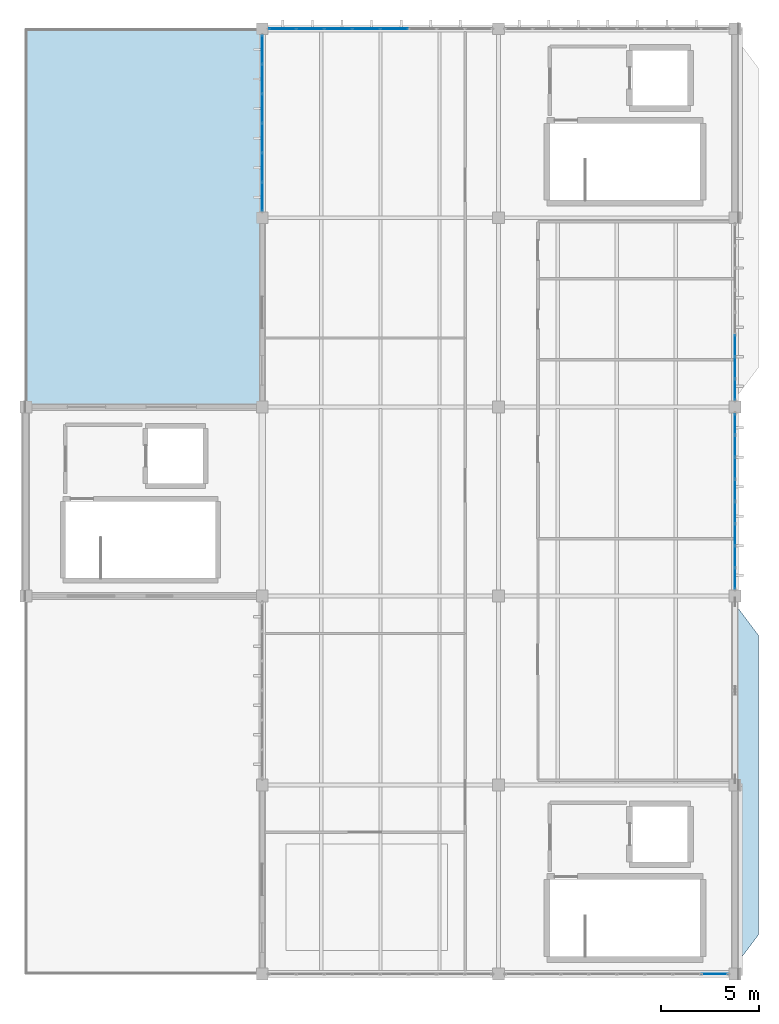
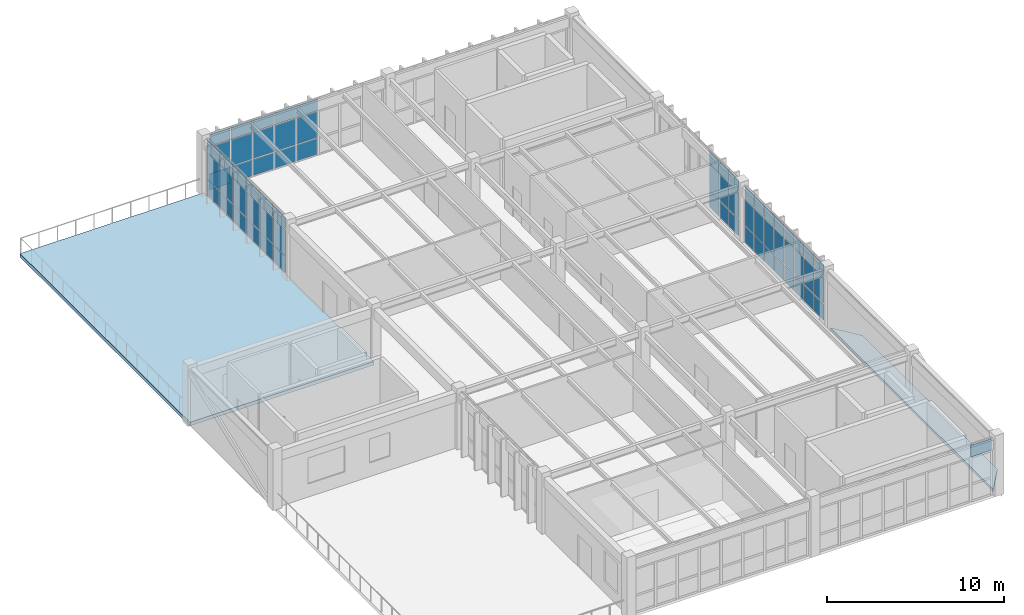
# One storey, part 21 of 28: 67 plates, 2 slabs, 5 elements without a shape of their own.
"""IFC4 building model written with IfcOpenShell, lengths in metres."""

from ifc_helpers import new_model, si_unit, direction, frame, origin, origin_2d, place, context, subcontext, project, spatial, polyline, rectangle, outline, extrude, material, layer, layer_set, type_object, element, aggregate, save


model = new_model("IFC4")

# Units and contexts
model_context = context("Model", 3, precision=1e-05, world=origin(), true_north=direction((0.0, 1.0)))
body_context = subcontext(model_context, "Body", "Model", "MODEL_VIEW")
ifc_project = project(units=[si_unit("LENGTHUNIT", "METRE"), si_unit("AREAUNIT", "SQUARE_METRE"), si_unit("VOLUMEUNIT", "CUBIC_METRE"), si_unit("PLANEANGLEUNIT", "RADIAN"), si_unit("MASSUNIT", "GRAM", prefix="KILO")], contexts=[model_context])

# Site, building, storey
site_placement = place(None, origin())
site = spatial("IfcSite", under=ifc_project, at=site_placement, CompositionType="ELEMENT")
building_placement = place(site_placement, origin())
building = spatial("IfcBuilding", under=site, at=building_placement, Name="Pandanus Reach Market Hall", CompositionType="ELEMENT")
storey_placement = place(building_placement, frame((0.0, 0.0, 18.60009765625)))
storey = spatial("IfcBuildingStorey", under=building, at=storey_placement, Name="L04", CompositionType="ELEMENT", Elevation=18.60009765625)

# Curtain wall, plates
ifc_material_1 = material(Name="Bronze anodised aluminium and low-E glass", Category="aluminium")
ifc_layer_1 = layer(ifc_material_1, 0.159912109375, Name="CW-35")
ifc_layer_set_1 = layer_set([ifc_layer_1], Name="Bronze anodised aluminium and low-E glass")
curtain_wall_type_1 = type_object("IfcCurtainWallType", Name="CW-35", PredefinedType="NOTDEFINED", material=ifc_layer_set_1)
curtain_wall_1_placement = place(storey_placement, origin())
curtain_wall_1 = element("IfcCurtainWall", 1, at=curtain_wall_1_placement, inside=storey, type_object=curtain_wall_type_1, Name="Glazed curtain wall CW-35 CW-0128", PredefinedType="NOTDEFINED")
ifc_material_2 = material(Name="Solar-control double glazing", Category="glass")
ifc_layer_2 = layer(ifc_material_2, 0.028076171875, Name="CW-P1")
ifc_layer_set_2 = layer_set([ifc_layer_2], Name="Solar-control double glazing")
plate_type = type_object("IfcPlateType", Name="CW-P1", PredefinedType="CURTAIN_PANEL", material=ifc_layer_set_2)
plate_1_placement = place(storey_placement, frame((157.02880859375, 76.800048828125, 0.06494140625), z_axis=(0.0, 0.0, 1.0), x_axis=(1.0, 0.0, 0.0)))
plate_1 = element("IfcPlate", 2, at=plate_1_placement, type_object=plate_type, Name="CW-35 panel 1.1", PredefinedType="CURTAIN_PANEL", context=body_context, shape_type="SweptSolid", body=[
    extrude(rectangle(XDim=1.327392578125, YDim=0.028076171875, at=origin_2d()), origin(), (0.0, 0.0, 1.0), 1.1025390625),
])
plate_2_placement = place(storey_placement, frame((157.02880859375, 76.800048828125, 1.232421875), z_axis=(0.0, 0.0, 1.0), x_axis=(1.0, 0.0, 0.0)))
plate_2 = element("IfcPlate", 3, at=plate_2_placement, type_object=plate_type, Name="CW-35 panel 1.2", PredefinedType="CURTAIN_PANEL", context=body_context, shape_type="SweptSolid", body=[
    extrude(rectangle(XDim=1.327392578125, YDim=0.028076171875, at=origin_2d()), origin(), (0.0, 0.0, 1.0), 1.784912109375),
])
plate_3_placement = place(storey_placement, frame((157.02880859375, 76.800048828125, 3.08251953125), z_axis=(0.0, 0.0, 1.0), x_axis=(1.0, 0.0, 0.0)))
plate_3 = element("IfcPlate", 4, at=plate_3_placement, type_object=plate_type, Name="CW-35 panel 1.3", PredefinedType="CURTAIN_PANEL", context=body_context, shape_type="SweptSolid", body=[
    extrude(rectangle(XDim=1.327392578125, YDim=0.028076171875, at=origin_2d()), origin(), (0.0, 0.0, 1.0), 0.802490234375),
])
plate_4_placement = place(storey_placement, frame((158.4375, 76.800048828125, 0.06494140625), z_axis=(0.0, 0.0, 1.0), x_axis=(1.0, 0.0, 0.0)))
plate_4 = element("IfcPlate", 5, at=plate_4_placement, type_object=plate_type, Name="CW-35 panel 2.1", PredefinedType="CURTAIN_PANEL", context=body_context, shape_type="SweptSolid", body=[
    extrude(rectangle(XDim=1.360107421875, YDim=0.028076171875, at=origin_2d()), origin(), (0.0, 0.0, 1.0), 1.1025390625),
])
plate_5_placement = place(storey_placement, frame((158.4375, 76.800048828125, 1.232421875), z_axis=(0.0, 0.0, 1.0), x_axis=(1.0, 0.0, 0.0)))
plate_5 = element("IfcPlate", 6, at=plate_5_placement, type_object=plate_type, Name="CW-35 panel 2.2", PredefinedType="CURTAIN_PANEL", context=body_context, shape_type="SweptSolid", body=[
    extrude(rectangle(XDim=1.360107421875, YDim=0.028076171875, at=origin_2d()), origin(), (0.0, 0.0, 1.0), 1.784912109375),
])
plate_6_placement = place(storey_placement, frame((158.4375, 76.800048828125, 3.08251953125), z_axis=(0.0, 0.0, 1.0), x_axis=(1.0, 0.0, 0.0)))
plate_6 = element("IfcPlate", 7, at=plate_6_placement, type_object=plate_type, Name="CW-35 panel 2.3", PredefinedType="CURTAIN_PANEL", context=body_context, shape_type="SweptSolid", body=[
    extrude(rectangle(XDim=1.360107421875, YDim=0.028076171875, at=origin_2d()), origin(), (0.0, 0.0, 1.0), 0.802490234375),
])
plate_7_placement = place(storey_placement, frame((159.862548828125, 76.800048828125, 0.06494140625), z_axis=(0.0, 0.0, 1.0), x_axis=(1.0, 0.0, 0.0)))
plate_7 = element("IfcPlate", 8, at=plate_7_placement, type_object=plate_type, Name="CW-35 panel 3.1", PredefinedType="CURTAIN_PANEL", context=body_context, shape_type="SweptSolid", body=[
    extrude(rectangle(XDim=1.360107421875, YDim=0.028076171875, at=origin_2d()), origin(), (0.0, 0.0, 1.0), 1.1025390625),
])
plate_8_placement = place(storey_placement, frame((159.862548828125, 76.800048828125, 1.232421875), z_axis=(0.0, 0.0, 1.0), x_axis=(1.0, 0.0, 0.0)))
plate_8 = element("IfcPlate", 9, at=plate_8_placement, type_object=plate_type, Name="CW-35 panel 3.2", PredefinedType="CURTAIN_PANEL", context=body_context, shape_type="SweptSolid", body=[
    extrude(rectangle(XDim=1.360107421875, YDim=0.028076171875, at=origin_2d()), origin(), (0.0, 0.0, 1.0), 1.784912109375),
])
plate_9_placement = place(storey_placement, frame((159.862548828125, 76.800048828125, 3.08251953125), z_axis=(0.0, 0.0, 1.0), x_axis=(1.0, 0.0, 0.0)))
plate_9 = element("IfcPlate", 10, at=plate_9_placement, type_object=plate_type, Name="CW-35 panel 3.3", PredefinedType="CURTAIN_PANEL", context=body_context, shape_type="SweptSolid", body=[
    extrude(rectangle(XDim=1.360107421875, YDim=0.028076171875, at=origin_2d()), origin(), (0.0, 0.0, 1.0), 0.802490234375),
])
plate_10_placement = place(storey_placement, frame((161.28759765625, 76.800048828125, 0.06494140625), z_axis=(0.0, 0.0, 1.0), x_axis=(1.0, 0.0, 0.0)))
plate_10 = element("IfcPlate", 11, at=plate_10_placement, type_object=plate_type, Name="CW-35 panel 4.1", PredefinedType="CURTAIN_PANEL", context=body_context, shape_type="SweptSolid", body=[
    extrude(rectangle(XDim=1.360107421875, YDim=0.028076171875, at=origin_2d()), origin(), (0.0, 0.0, 1.0), 1.1025390625),
])
plate_11_placement = place(storey_placement, frame((161.28759765625, 76.800048828125, 1.232421875), z_axis=(0.0, 0.0, 1.0), x_axis=(1.0, 0.0, 0.0)))
plate_11 = element("IfcPlate", 12, at=plate_11_placement, type_object=plate_type, Name="CW-35 panel 4.2", PredefinedType="CURTAIN_PANEL", context=body_context, shape_type="SweptSolid", body=[
    extrude(rectangle(XDim=1.360107421875, YDim=0.028076171875, at=origin_2d()), origin(), (0.0, 0.0, 1.0), 1.784912109375),
])
plate_12_placement = place(storey_placement, frame((161.28759765625, 76.800048828125, 3.08251953125), z_axis=(0.0, 0.0, 1.0), x_axis=(1.0, 0.0, 0.0)))
plate_12 = element("IfcPlate", 13, at=plate_12_placement, type_object=plate_type, Name="CW-35 panel 4.3", PredefinedType="CURTAIN_PANEL", context=body_context, shape_type="SweptSolid", body=[
    extrude(rectangle(XDim=1.360107421875, YDim=0.028076171875, at=origin_2d()), origin(), (0.0, 0.0, 1.0), 0.802490234375),
])
plate_13_placement = place(storey_placement, frame((162.71240234375, 76.800048828125, 0.06494140625), z_axis=(0.0, 0.0, 1.0), x_axis=(1.0, 0.0, 0.0)))
plate_13 = element("IfcPlate", 14, at=plate_13_placement, type_object=plate_type, Name="CW-35 panel 5.1", PredefinedType="CURTAIN_PANEL", context=body_context, shape_type="SweptSolid", body=[
    extrude(rectangle(XDim=1.360107421875, YDim=0.028076171875, at=origin_2d()), origin(), (0.0, 0.0, 1.0), 1.1025390625),
])
plate_14_placement = place(storey_placement, frame((162.71240234375, 76.800048828125, 1.232421875), z_axis=(0.0, 0.0, 1.0), x_axis=(1.0, 0.0, 0.0)))
plate_14 = element("IfcPlate", 15, at=plate_14_placement, type_object=plate_type, Name="CW-35 panel 5.2", PredefinedType="CURTAIN_PANEL", context=body_context, shape_type="SweptSolid", body=[
    extrude(rectangle(XDim=1.360107421875, YDim=0.028076171875, at=origin_2d()), origin(), (0.0, 0.0, 1.0), 1.784912109375),
])
plate_15_placement = place(storey_placement, frame((162.71240234375, 76.800048828125, 3.08251953125), z_axis=(0.0, 0.0, 1.0), x_axis=(1.0, 0.0, 0.0)))
plate_15 = element("IfcPlate", 16, at=plate_15_placement, type_object=plate_type, Name="CW-35 panel 5.3", PredefinedType="CURTAIN_PANEL", context=body_context, shape_type="SweptSolid", body=[
    extrude(rectangle(XDim=1.360107421875, YDim=0.028076171875, at=origin_2d()), origin(), (0.0, 0.0, 1.0), 0.802490234375),
])
aggregate(curtain_wall_1, [plate_1, plate_2, plate_3, plate_4, plate_5, plate_6, plate_7, plate_8, plate_9, plate_10, plate_11, plate_12, plate_13, plate_14, plate_15])

# Curtain wall, plate
curtain_wall_2_placement = place(storey_placement, origin())
curtain_wall_2 = element("IfcCurtainWall", 17, at=curtain_wall_2_placement, inside=storey, type_object=curtain_wall_type_1, Name="Glazed curtain wall CW-35 CW-0129", PredefinedType="NOTDEFINED")
plate_16_placement = place(storey_placement, frame((178.97119140625, 28.800048828125, 3.08251953125), z_axis=(0.0, 0.0, 1.0), x_axis=(1.0, 0.0, 0.0)))
plate_16 = element("IfcPlate", 18, at=plate_16_placement, type_object=plate_type, Name="CW-35 panel 8.3", PredefinedType="CURTAIN_PANEL", context=body_context, shape_type="SweptSolid", body=[
    extrude(rectangle(XDim=1.327392578125, YDim=0.028076171875, at=origin_2d()), origin(), (0.0, 0.0, 1.0), 0.802490234375),
])
aggregate(curtain_wall_2, [plate_16])

# Curtain wall, plates
ifc_layer_3 = layer(ifc_material_1, 0.159912109375, Name="CW-36")
ifc_layer_set_3 = layer_set([ifc_layer_3], Name="Bronze anodised aluminium and low-E glass")
curtain_wall_type_2 = type_object("IfcCurtainWallType", Name="CW-36", PredefinedType="NOTDEFINED", material=ifc_layer_set_3)
curtain_wall_3_placement = place(storey_placement, origin())
curtain_wall_3 = element("IfcCurtainWall", 19, at=curtain_wall_3_placement, inside=storey, type_object=curtain_wall_type_2, Name="Glazed curtain wall CW-36 CW-0131", PredefinedType="NOTDEFINED")
plate_17_placement = place(storey_placement, frame((180.0, 48.878662109375, 0.06494140625), z_axis=(0.0, 0.0, 1.0), x_axis=(0.0, 1.0, 0.0)))
plate_17 = element("IfcPlate", 20, at=plate_17_placement, type_object=plate_type, Name="CW-36 panel 1.1", PredefinedType="CURTAIN_PANEL", context=body_context, shape_type="SweptSolid", body=[
    extrude(rectangle(XDim=1.027587890625, YDim=0.028076171875, at=origin_2d()), origin(), (0.0, 0.0, 1.0), 1.1025390625),
])
plate_18_placement = place(storey_placement, frame((180.0, 48.878662109375, 1.232421875), z_axis=(0.0, 0.0, 1.0), x_axis=(0.0, 1.0, 0.0)))
plate_18 = element("IfcPlate", 21, at=plate_18_placement, type_object=plate_type, Name="CW-36 panel 1.2", PredefinedType="CURTAIN_PANEL", context=body_context, shape_type="SweptSolid", body=[
    extrude(rectangle(XDim=1.027587890625, YDim=0.028076171875, at=origin_2d()), origin(), (0.0, 0.0, 1.0), 1.784912109375),
])
plate_19_placement = place(storey_placement, frame((180.0, 48.878662109375, 3.08251953125), z_axis=(0.0, 0.0, 1.0), x_axis=(0.0, 1.0, 0.0)))
plate_19 = element("IfcPlate", 22, at=plate_19_placement, type_object=plate_type, Name="CW-36 panel 1.3", PredefinedType="CURTAIN_PANEL", context=body_context, shape_type="SweptSolid", body=[
    extrude(rectangle(XDim=1.027587890625, YDim=0.028076171875, at=origin_2d()), origin(), (0.0, 0.0, 1.0), 0.802490234375),
])
plate_20_placement = place(storey_placement, frame((180.0, 49.987548828125, 0.06494140625), z_axis=(0.0, 0.0, 1.0), x_axis=(0.0, 1.0, 0.0)))
plate_20 = element("IfcPlate", 23, at=plate_20_placement, type_object=plate_type, Name="CW-36 panel 2.1", PredefinedType="CURTAIN_PANEL", context=body_context, shape_type="SweptSolid", body=[
    extrude(rectangle(XDim=1.06005859375, YDim=0.028076171875, at=origin_2d()), origin(), (0.0, 0.0, 1.0), 1.1025390625),
])
plate_21_placement = place(storey_placement, frame((180.0, 49.987548828125, 1.232421875), z_axis=(0.0, 0.0, 1.0), x_axis=(0.0, 1.0, 0.0)))
plate_21 = element("IfcPlate", 24, at=plate_21_placement, type_object=plate_type, Name="CW-36 panel 2.2", PredefinedType="CURTAIN_PANEL", context=body_context, shape_type="SweptSolid", body=[
    extrude(rectangle(XDim=1.06005859375, YDim=0.028076171875, at=origin_2d()), origin(), (0.0, 0.0, 1.0), 1.784912109375),
])
plate_22_placement = place(storey_placement, frame((180.0, 49.987548828125, 3.08251953125), z_axis=(0.0, 0.0, 1.0), x_axis=(0.0, 1.0, 0.0)))
plate_22 = element("IfcPlate", 25, at=plate_22_placement, type_object=plate_type, Name="CW-36 panel 2.3", PredefinedType="CURTAIN_PANEL", context=body_context, shape_type="SweptSolid", body=[
    extrude(rectangle(XDim=1.06005859375, YDim=0.028076171875, at=origin_2d()), origin(), (0.0, 0.0, 1.0), 0.802490234375),
])
plate_23_placement = place(storey_placement, frame((180.0, 51.112548828125, 0.06494140625), z_axis=(0.0, 0.0, 1.0), x_axis=(0.0, 1.0, 0.0)))
plate_23 = element("IfcPlate", 26, at=plate_23_placement, type_object=plate_type, Name="CW-36 panel 3.1", PredefinedType="CURTAIN_PANEL", context=body_context, shape_type="SweptSolid", body=[
    extrude(rectangle(XDim=1.06005859375, YDim=0.028076171875, at=origin_2d()), origin(), (0.0, 0.0, 1.0), 1.1025390625),
])
plate_24_placement = place(storey_placement, frame((180.0, 51.112548828125, 1.232421875), z_axis=(0.0, 0.0, 1.0), x_axis=(0.0, 1.0, 0.0)))
plate_24 = element("IfcPlate", 27, at=plate_24_placement, type_object=plate_type, Name="CW-36 panel 3.2", PredefinedType="CURTAIN_PANEL", context=body_context, shape_type="SweptSolid", body=[
    extrude(rectangle(XDim=1.06005859375, YDim=0.028076171875, at=origin_2d()), origin(), (0.0, 0.0, 1.0), 1.784912109375),
])
plate_25_placement = place(storey_placement, frame((180.0, 51.112548828125, 3.08251953125), z_axis=(0.0, 0.0, 1.0), x_axis=(0.0, 1.0, 0.0)))
plate_25 = element("IfcPlate", 28, at=plate_25_placement, type_object=plate_type, Name="CW-36 panel 3.3", PredefinedType="CURTAIN_PANEL", context=body_context, shape_type="SweptSolid", body=[
    extrude(rectangle(XDim=1.06005859375, YDim=0.028076171875, at=origin_2d()), origin(), (0.0, 0.0, 1.0), 0.802490234375),
])
plate_26_placement = place(storey_placement, frame((180.0, 52.237548828125, 0.06494140625), z_axis=(0.0, 0.0, 1.0), x_axis=(0.0, 1.0, 0.0)))
plate_26 = element("IfcPlate", 29, at=plate_26_placement, type_object=plate_type, Name="CW-36 panel 4.1", PredefinedType="CURTAIN_PANEL", context=body_context, shape_type="SweptSolid", body=[
    extrude(rectangle(XDim=1.06005859375, YDim=0.028076171875, at=origin_2d()), origin(), (0.0, 0.0, 1.0), 1.1025390625),
])
plate_27_placement = place(storey_placement, frame((180.0, 52.237548828125, 1.232421875), z_axis=(0.0, 0.0, 1.0), x_axis=(0.0, 1.0, 0.0)))
plate_27 = element("IfcPlate", 30, at=plate_27_placement, type_object=plate_type, Name="CW-36 panel 4.2", PredefinedType="CURTAIN_PANEL", context=body_context, shape_type="SweptSolid", body=[
    extrude(rectangle(XDim=1.06005859375, YDim=0.028076171875, at=origin_2d()), origin(), (0.0, 0.0, 1.0), 1.784912109375),
])
plate_28_placement = place(storey_placement, frame((180.0, 52.237548828125, 3.08251953125), z_axis=(0.0, 0.0, 1.0), x_axis=(0.0, 1.0, 0.0)))
plate_28 = element("IfcPlate", 31, at=plate_28_placement, type_object=plate_type, Name="CW-36 panel 4.3", PredefinedType="CURTAIN_PANEL", context=body_context, shape_type="SweptSolid", body=[
    extrude(rectangle(XDim=1.06005859375, YDim=0.028076171875, at=origin_2d()), origin(), (0.0, 0.0, 1.0), 0.802490234375),
])
plate_29_placement = place(storey_placement, frame((180.0, 53.362548828125, 0.06494140625), z_axis=(0.0, 0.0, 1.0), x_axis=(0.0, 1.0, 0.0)))
plate_29 = element("IfcPlate", 32, at=plate_29_placement, type_object=plate_type, Name="CW-36 panel 5.1", PredefinedType="CURTAIN_PANEL", context=body_context, shape_type="SweptSolid", body=[
    extrude(rectangle(XDim=1.06005859375, YDim=0.028076171875, at=origin_2d()), origin(), (0.0, 0.0, 1.0), 1.1025390625),
])
plate_30_placement = place(storey_placement, frame((180.0, 53.362548828125, 1.232421875), z_axis=(0.0, 0.0, 1.0), x_axis=(0.0, 1.0, 0.0)))
plate_30 = element("IfcPlate", 33, at=plate_30_placement, type_object=plate_type, Name="CW-36 panel 5.2", PredefinedType="CURTAIN_PANEL", context=body_context, shape_type="SweptSolid", body=[
    extrude(rectangle(XDim=1.06005859375, YDim=0.028076171875, at=origin_2d()), origin(), (0.0, 0.0, 1.0), 1.784912109375),
])
plate_31_placement = place(storey_placement, frame((180.0, 53.362548828125, 3.08251953125), z_axis=(0.0, 0.0, 1.0), x_axis=(0.0, 1.0, 0.0)))
plate_31 = element("IfcPlate", 34, at=plate_31_placement, type_object=plate_type, Name="CW-36 panel 5.3", PredefinedType="CURTAIN_PANEL", context=body_context, shape_type="SweptSolid", body=[
    extrude(rectangle(XDim=1.06005859375, YDim=0.028076171875, at=origin_2d()), origin(), (0.0, 0.0, 1.0), 0.802490234375),
])
plate_32_placement = place(storey_placement, frame((180.0, 54.487548828125, 0.06494140625), z_axis=(0.0, 0.0, 1.0), x_axis=(0.0, 1.0, 0.0)))
plate_32 = element("IfcPlate", 35, at=plate_32_placement, type_object=plate_type, Name="CW-36 panel 6.1", PredefinedType="CURTAIN_PANEL", context=body_context, shape_type="SweptSolid", body=[
    extrude(rectangle(XDim=1.06005859375, YDim=0.028076171875, at=origin_2d()), origin(), (0.0, 0.0, 1.0), 1.1025390625),
])
plate_33_placement = place(storey_placement, frame((180.0, 54.487548828125, 1.232421875), z_axis=(0.0, 0.0, 1.0), x_axis=(0.0, 1.0, 0.0)))
plate_33 = element("IfcPlate", 36, at=plate_33_placement, type_object=plate_type, Name="CW-36 panel 6.2", PredefinedType="CURTAIN_PANEL", context=body_context, shape_type="SweptSolid", body=[
    extrude(rectangle(XDim=1.06005859375, YDim=0.028076171875, at=origin_2d()), origin(), (0.0, 0.0, 1.0), 1.784912109375),
])
plate_34_placement = place(storey_placement, frame((180.0, 54.487548828125, 3.08251953125), z_axis=(0.0, 0.0, 1.0), x_axis=(0.0, 1.0, 0.0)))
plate_34 = element("IfcPlate", 37, at=plate_34_placement, type_object=plate_type, Name="CW-36 panel 6.3", PredefinedType="CURTAIN_PANEL", context=body_context, shape_type="SweptSolid", body=[
    extrude(rectangle(XDim=1.06005859375, YDim=0.028076171875, at=origin_2d()), origin(), (0.0, 0.0, 1.0), 0.802490234375),
])
plate_35_placement = place(storey_placement, frame((180.0, 55.612548828125, 0.06494140625), z_axis=(0.0, 0.0, 1.0), x_axis=(0.0, 1.0, 0.0)))
plate_35 = element("IfcPlate", 38, at=plate_35_placement, type_object=plate_type, Name="CW-36 panel 7.1", PredefinedType="CURTAIN_PANEL", context=body_context, shape_type="SweptSolid", body=[
    extrude(rectangle(XDim=1.06005859375, YDim=0.028076171875, at=origin_2d()), origin(), (0.0, 0.0, 1.0), 1.1025390625),
])
plate_36_placement = place(storey_placement, frame((180.0, 55.612548828125, 1.232421875), z_axis=(0.0, 0.0, 1.0), x_axis=(0.0, 1.0, 0.0)))
plate_36 = element("IfcPlate", 39, at=plate_36_placement, type_object=plate_type, Name="CW-36 panel 7.2", PredefinedType="CURTAIN_PANEL", context=body_context, shape_type="SweptSolid", body=[
    extrude(rectangle(XDim=1.06005859375, YDim=0.028076171875, at=origin_2d()), origin(), (0.0, 0.0, 1.0), 1.784912109375),
])
plate_37_placement = place(storey_placement, frame((180.0, 55.612548828125, 3.08251953125), z_axis=(0.0, 0.0, 1.0), x_axis=(0.0, 1.0, 0.0)))
plate_37 = element("IfcPlate", 40, at=plate_37_placement, type_object=plate_type, Name="CW-36 panel 7.3", PredefinedType="CURTAIN_PANEL", context=body_context, shape_type="SweptSolid", body=[
    extrude(rectangle(XDim=1.06005859375, YDim=0.028076171875, at=origin_2d()), origin(), (0.0, 0.0, 1.0), 0.802490234375),
])
plate_38_placement = place(storey_placement, frame((180.0, 56.72119140625, 0.06494140625), z_axis=(0.0, 0.0, 1.0), x_axis=(0.0, 1.0, 0.0)))
plate_38 = element("IfcPlate", 41, at=plate_38_placement, type_object=plate_type, Name="CW-36 panel 8.1", PredefinedType="CURTAIN_PANEL", context=body_context, shape_type="SweptSolid", body=[
    extrude(rectangle(XDim=1.027587890625, YDim=0.028076171875, at=origin_2d()), origin(), (0.0, 0.0, 1.0), 1.1025390625),
])
plate_39_placement = place(storey_placement, frame((180.0, 56.72119140625, 1.232421875), z_axis=(0.0, 0.0, 1.0), x_axis=(0.0, 1.0, 0.0)))
plate_39 = element("IfcPlate", 42, at=plate_39_placement, type_object=plate_type, Name="CW-36 panel 8.2", PredefinedType="CURTAIN_PANEL", context=body_context, shape_type="SweptSolid", body=[
    extrude(rectangle(XDim=1.027587890625, YDim=0.028076171875, at=origin_2d()), origin(), (0.0, 0.0, 1.0), 1.784912109375),
])
plate_40_placement = place(storey_placement, frame((180.0, 56.72119140625, 3.08251953125), z_axis=(0.0, 0.0, 1.0), x_axis=(0.0, 1.0, 0.0)))
plate_40 = element("IfcPlate", 43, at=plate_40_placement, type_object=plate_type, Name="CW-36 panel 8.3", PredefinedType="CURTAIN_PANEL", context=body_context, shape_type="SweptSolid", body=[
    extrude(rectangle(XDim=1.027587890625, YDim=0.028076171875, at=origin_2d()), origin(), (0.0, 0.0, 1.0), 0.802490234375),
])
aggregate(curtain_wall_3, [plate_17, plate_18, plate_19, plate_20, plate_21, plate_22, plate_23, plate_24, plate_25, plate_26, plate_27, plate_28, plate_29, plate_30, plate_31, plate_32, plate_33, plate_34, plate_35, plate_36, plate_37, plate_38, plate_39, plate_40])

curtain_wall_4_placement = place(storey_placement, origin())
curtain_wall_4 = element("IfcCurtainWall", 44, at=curtain_wall_4_placement, inside=storey, type_object=curtain_wall_type_2, Name="Glazed curtain wall CW-36 CW-0132", PredefinedType="NOTDEFINED")
plate_41_placement = place(storey_placement, frame((180.0, 58.478759765625, 0.06494140625), z_axis=(0.0, 0.0, 1.0), x_axis=(0.0, 1.0, 0.0)))
plate_41 = element("IfcPlate", 45, at=plate_41_placement, type_object=plate_type, Name="CW-36 panel 1.1", PredefinedType="CURTAIN_PANEL", context=body_context, shape_type="SweptSolid", body=[
    extrude(rectangle(XDim=1.027587890625, YDim=0.028076171875, at=origin_2d()), origin(), (0.0, 0.0, 1.0), 1.1025390625),
])
plate_42_placement = place(storey_placement, frame((180.0, 58.478759765625, 1.232421875), z_axis=(0.0, 0.0, 1.0), x_axis=(0.0, 1.0, 0.0)))
plate_42 = element("IfcPlate", 46, at=plate_42_placement, type_object=plate_type, Name="CW-36 panel 1.2", PredefinedType="CURTAIN_PANEL", context=body_context, shape_type="SweptSolid", body=[
    extrude(rectangle(XDim=1.027587890625, YDim=0.028076171875, at=origin_2d()), origin(), (0.0, 0.0, 1.0), 1.784912109375),
])
plate_43_placement = place(storey_placement, frame((180.0, 58.478759765625, 3.08251953125), z_axis=(0.0, 0.0, 1.0), x_axis=(0.0, 1.0, 0.0)))
plate_43 = element("IfcPlate", 47, at=plate_43_placement, type_object=plate_type, Name="CW-36 panel 1.3", PredefinedType="CURTAIN_PANEL", context=body_context, shape_type="SweptSolid", body=[
    extrude(rectangle(XDim=1.027587890625, YDim=0.028076171875, at=origin_2d()), origin(), (0.0, 0.0, 1.0), 0.802490234375),
])
plate_44_placement = place(storey_placement, frame((180.0, 59.58740234375, 0.06494140625), z_axis=(0.0, 0.0, 1.0), x_axis=(0.0, 1.0, 0.0)))
plate_44 = element("IfcPlate", 48, at=plate_44_placement, type_object=plate_type, Name="CW-36 panel 2.1", PredefinedType="CURTAIN_PANEL", context=body_context, shape_type="SweptSolid", body=[
    extrude(rectangle(XDim=1.06005859375, YDim=0.028076171875, at=origin_2d()), origin(), (0.0, 0.0, 1.0), 1.1025390625),
])
plate_45_placement = place(storey_placement, frame((180.0, 59.58740234375, 1.232421875), z_axis=(0.0, 0.0, 1.0), x_axis=(0.0, 1.0, 0.0)))
plate_45 = element("IfcPlate", 49, at=plate_45_placement, type_object=plate_type, Name="CW-36 panel 2.2", PredefinedType="CURTAIN_PANEL", context=body_context, shape_type="SweptSolid", body=[
    extrude(rectangle(XDim=1.06005859375, YDim=0.028076171875, at=origin_2d()), origin(), (0.0, 0.0, 1.0), 1.784912109375),
])
plate_46_placement = place(storey_placement, frame((180.0, 59.58740234375, 3.08251953125), z_axis=(0.0, 0.0, 1.0), x_axis=(0.0, 1.0, 0.0)))
plate_46 = element("IfcPlate", 50, at=plate_46_placement, type_object=plate_type, Name="CW-36 panel 2.3", PredefinedType="CURTAIN_PANEL", context=body_context, shape_type="SweptSolid", body=[
    extrude(rectangle(XDim=1.06005859375, YDim=0.028076171875, at=origin_2d()), origin(), (0.0, 0.0, 1.0), 0.802490234375),
])
plate_47_placement = place(storey_placement, frame((180.0, 60.71240234375, 0.06494140625), z_axis=(0.0, 0.0, 1.0), x_axis=(0.0, 1.0, 0.0)))
plate_47 = element("IfcPlate", 51, at=plate_47_placement, type_object=plate_type, Name="CW-36 panel 3.1", PredefinedType="CURTAIN_PANEL", context=body_context, shape_type="SweptSolid", body=[
    extrude(rectangle(XDim=1.06005859375, YDim=0.028076171875, at=origin_2d()), origin(), (0.0, 0.0, 1.0), 1.1025390625),
])
plate_48_placement = place(storey_placement, frame((180.0, 60.71240234375, 1.232421875), z_axis=(0.0, 0.0, 1.0), x_axis=(0.0, 1.0, 0.0)))
plate_48 = element("IfcPlate", 52, at=plate_48_placement, type_object=plate_type, Name="CW-36 panel 3.2", PredefinedType="CURTAIN_PANEL", context=body_context, shape_type="SweptSolid", body=[
    extrude(rectangle(XDim=1.06005859375, YDim=0.028076171875, at=origin_2d()), origin(), (0.0, 0.0, 1.0), 1.784912109375),
])
plate_49_placement = place(storey_placement, frame((180.0, 60.71240234375, 3.08251953125), z_axis=(0.0, 0.0, 1.0), x_axis=(0.0, 1.0, 0.0)))
plate_49 = element("IfcPlate", 53, at=plate_49_placement, type_object=plate_type, Name="CW-36 panel 3.3", PredefinedType="CURTAIN_PANEL", context=body_context, shape_type="SweptSolid", body=[
    extrude(rectangle(XDim=1.06005859375, YDim=0.028076171875, at=origin_2d()), origin(), (0.0, 0.0, 1.0), 0.802490234375),
])
aggregate(curtain_wall_4, [plate_41, plate_42, plate_43, plate_44, plate_45, plate_46, plate_47, plate_48, plate_49])

ifc_layer_4 = layer(ifc_material_1, 0.159912109375, Name="CW-37")
ifc_layer_set_4 = layer_set([ifc_layer_4], Name="Bronze anodised aluminium and low-E glass")
curtain_wall_type_3 = type_object("IfcCurtainWallType", Name="CW-37", PredefinedType="NOTDEFINED", material=ifc_layer_set_4)
curtain_wall_5_placement = place(storey_placement, origin())
curtain_wall_5 = element("IfcCurtainWall", 54, at=curtain_wall_5_placement, inside=storey, type_object=curtain_wall_type_3, Name="Glazed curtain wall CW-37 CW-0134", PredefinedType="NOTDEFINED")
plate_50_placement = place(storey_placement, frame((156.0, 68.266357421875, 0.06494140625), z_axis=(0.0, 0.0, 1.0), x_axis=(0.0, 1.0, 0.0)))
plate_50 = element("IfcPlate", 55, at=plate_50_placement, type_object=plate_type, Name="CW-37 panel 1.1", PredefinedType="CURTAIN_PANEL", context=body_context, shape_type="SweptSolid", body=[
    extrude(rectangle(XDim=1.402587890625, YDim=0.028076171875, at=origin_2d()), origin(), (0.0, 0.0, 1.0), 1.1025390625),
])
plate_51_placement = place(storey_placement, frame((156.0, 68.266357421875, 1.232421875), z_axis=(0.0, 0.0, 1.0), x_axis=(0.0, 1.0, 0.0)))
plate_51 = element("IfcPlate", 56, at=plate_51_placement, type_object=plate_type, Name="CW-37 panel 1.2", PredefinedType="CURTAIN_PANEL", context=body_context, shape_type="SweptSolid", body=[
    extrude(rectangle(XDim=1.402587890625, YDim=0.028076171875, at=origin_2d()), origin(), (0.0, 0.0, 1.0), 1.784912109375),
])
plate_52_placement = place(storey_placement, frame((156.0, 68.266357421875, 3.08251953125), z_axis=(0.0, 0.0, 1.0), x_axis=(0.0, 1.0, 0.0)))
plate_52 = element("IfcPlate", 57, at=plate_52_placement, type_object=plate_type, Name="CW-37 panel 1.3", PredefinedType="CURTAIN_PANEL", context=body_context, shape_type="SweptSolid", body=[
    extrude(rectangle(XDim=1.402587890625, YDim=0.028076171875, at=origin_2d()), origin(), (0.0, 0.0, 1.0), 0.802490234375),
])
plate_53_placement = place(storey_placement, frame((156.0, 69.75, 0.06494140625), z_axis=(0.0, 0.0, 1.0), x_axis=(0.0, 1.0, 0.0)))
plate_53 = element("IfcPlate", 58, at=plate_53_placement, type_object=plate_type, Name="CW-37 panel 2.1", PredefinedType="CURTAIN_PANEL", context=body_context, shape_type="SweptSolid", body=[
    extrude(rectangle(XDim=1.43505859375, YDim=0.028076171875, at=origin_2d()), origin(), (0.0, 0.0, 1.0), 1.1025390625),
])
plate_54_placement = place(storey_placement, frame((156.0, 69.75, 1.232421875), z_axis=(0.0, 0.0, 1.0), x_axis=(0.0, 1.0, 0.0)))
plate_54 = element("IfcPlate", 59, at=plate_54_placement, type_object=plate_type, Name="CW-37 panel 2.2", PredefinedType="CURTAIN_PANEL", context=body_context, shape_type="SweptSolid", body=[
    extrude(rectangle(XDim=1.43505859375, YDim=0.028076171875, at=origin_2d()), origin(), (0.0, 0.0, 1.0), 1.784912109375),
])
plate_55_placement = place(storey_placement, frame((156.0, 69.75, 3.08251953125), z_axis=(0.0, 0.0, 1.0), x_axis=(0.0, 1.0, 0.0)))
plate_55 = element("IfcPlate", 60, at=plate_55_placement, type_object=plate_type, Name="CW-37 panel 2.3", PredefinedType="CURTAIN_PANEL", context=body_context, shape_type="SweptSolid", body=[
    extrude(rectangle(XDim=1.43505859375, YDim=0.028076171875, at=origin_2d()), origin(), (0.0, 0.0, 1.0), 0.802490234375),
])
plate_56_placement = place(storey_placement, frame((156.0, 71.25, 0.06494140625), z_axis=(0.0, 0.0, 1.0), x_axis=(0.0, 1.0, 0.0)))
plate_56 = element("IfcPlate", 61, at=plate_56_placement, type_object=plate_type, Name="CW-37 panel 3.1", PredefinedType="CURTAIN_PANEL", context=body_context, shape_type="SweptSolid", body=[
    extrude(rectangle(XDim=1.43505859375, YDim=0.028076171875, at=origin_2d()), origin(), (0.0, 0.0, 1.0), 1.1025390625),
])
plate_57_placement = place(storey_placement, frame((156.0, 71.25, 1.232421875), z_axis=(0.0, 0.0, 1.0), x_axis=(0.0, 1.0, 0.0)))
plate_57 = element("IfcPlate", 62, at=plate_57_placement, type_object=plate_type, Name="CW-37 panel 3.2", PredefinedType="CURTAIN_PANEL", context=body_context, shape_type="SweptSolid", body=[
    extrude(rectangle(XDim=1.43505859375, YDim=0.028076171875, at=origin_2d()), origin(), (0.0, 0.0, 1.0), 1.784912109375),
])
plate_58_placement = place(storey_placement, frame((156.0, 71.25, 3.08251953125), z_axis=(0.0, 0.0, 1.0), x_axis=(0.0, 1.0, 0.0)))
plate_58 = element("IfcPlate", 63, at=plate_58_placement, type_object=plate_type, Name="CW-37 panel 3.3", PredefinedType="CURTAIN_PANEL", context=body_context, shape_type="SweptSolid", body=[
    extrude(rectangle(XDim=1.43505859375, YDim=0.028076171875, at=origin_2d()), origin(), (0.0, 0.0, 1.0), 0.802490234375),
])
plate_59_placement = place(storey_placement, frame((156.0, 72.75, 0.06494140625), z_axis=(0.0, 0.0, 1.0), x_axis=(0.0, 1.0, 0.0)))
plate_59 = element("IfcPlate", 64, at=plate_59_placement, type_object=plate_type, Name="CW-37 panel 4.1", PredefinedType="CURTAIN_PANEL", context=body_context, shape_type="SweptSolid", body=[
    extrude(rectangle(XDim=1.43505859375, YDim=0.028076171875, at=origin_2d()), origin(), (0.0, 0.0, 1.0), 1.1025390625),
])
plate_60_placement = place(storey_placement, frame((156.0, 72.75, 1.232421875), z_axis=(0.0, 0.0, 1.0), x_axis=(0.0, 1.0, 0.0)))
plate_60 = element("IfcPlate", 65, at=plate_60_placement, type_object=plate_type, Name="CW-37 panel 4.2", PredefinedType="CURTAIN_PANEL", context=body_context, shape_type="SweptSolid", body=[
    extrude(rectangle(XDim=1.43505859375, YDim=0.028076171875, at=origin_2d()), origin(), (0.0, 0.0, 1.0), 1.784912109375),
])
plate_61_placement = place(storey_placement, frame((156.0, 72.75, 3.08251953125), z_axis=(0.0, 0.0, 1.0), x_axis=(0.0, 1.0, 0.0)))
plate_61 = element("IfcPlate", 66, at=plate_61_placement, type_object=plate_type, Name="CW-37 panel 4.3", PredefinedType="CURTAIN_PANEL", context=body_context, shape_type="SweptSolid", body=[
    extrude(rectangle(XDim=1.43505859375, YDim=0.028076171875, at=origin_2d()), origin(), (0.0, 0.0, 1.0), 0.802490234375),
])
plate_62_placement = place(storey_placement, frame((156.0, 74.25, 0.06494140625), z_axis=(0.0, 0.0, 1.0), x_axis=(0.0, 1.0, 0.0)))
plate_62 = element("IfcPlate", 67, at=plate_62_placement, type_object=plate_type, Name="CW-37 panel 5.1", PredefinedType="CURTAIN_PANEL", context=body_context, shape_type="SweptSolid", body=[
    extrude(rectangle(XDim=1.43505859375, YDim=0.028076171875, at=origin_2d()), origin(), (0.0, 0.0, 1.0), 1.1025390625),
])
plate_63_placement = place(storey_placement, frame((156.0, 74.25, 1.232421875), z_axis=(0.0, 0.0, 1.0), x_axis=(0.0, 1.0, 0.0)))
plate_63 = element("IfcPlate", 68, at=plate_63_placement, type_object=plate_type, Name="CW-37 panel 5.2", PredefinedType="CURTAIN_PANEL", context=body_context, shape_type="SweptSolid", body=[
    extrude(rectangle(XDim=1.43505859375, YDim=0.028076171875, at=origin_2d()), origin(), (0.0, 0.0, 1.0), 1.784912109375),
])
plate_64_placement = place(storey_placement, frame((156.0, 74.25, 3.08251953125), z_axis=(0.0, 0.0, 1.0), x_axis=(0.0, 1.0, 0.0)))
plate_64 = element("IfcPlate", 69, at=plate_64_placement, type_object=plate_type, Name="CW-37 panel 5.3", PredefinedType="CURTAIN_PANEL", context=body_context, shape_type="SweptSolid", body=[
    extrude(rectangle(XDim=1.43505859375, YDim=0.028076171875, at=origin_2d()), origin(), (0.0, 0.0, 1.0), 0.802490234375),
])
plate_65_placement = place(storey_placement, frame((156.0, 75.733642578125, 0.06494140625), z_axis=(0.0, 0.0, 1.0), x_axis=(0.0, 1.0, 0.0)))
plate_65 = element("IfcPlate", 70, at=plate_65_placement, type_object=plate_type, Name="CW-37 panel 6.1", PredefinedType="CURTAIN_PANEL", context=body_context, shape_type="SweptSolid", body=[
    extrude(rectangle(XDim=1.402587890625, YDim=0.028076171875, at=origin_2d()), origin(), (0.0, 0.0, 1.0), 1.1025390625),
])
plate_66_placement = place(storey_placement, frame((156.0, 75.733642578125, 1.232421875), z_axis=(0.0, 0.0, 1.0), x_axis=(0.0, 1.0, 0.0)))
plate_66 = element("IfcPlate", 71, at=plate_66_placement, type_object=plate_type, Name="CW-37 panel 6.2", PredefinedType="CURTAIN_PANEL", context=body_context, shape_type="SweptSolid", body=[
    extrude(rectangle(XDim=1.402587890625, YDim=0.028076171875, at=origin_2d()), origin(), (0.0, 0.0, 1.0), 1.784912109375),
])
plate_67_placement = place(storey_placement, frame((156.0, 75.733642578125, 3.08251953125), z_axis=(0.0, 0.0, 1.0), x_axis=(0.0, 1.0, 0.0)))
plate_67 = element("IfcPlate", 72, at=plate_67_placement, type_object=plate_type, Name="CW-37 panel 6.3", PredefinedType="CURTAIN_PANEL", context=body_context, shape_type="SweptSolid", body=[
    extrude(rectangle(XDim=1.402587890625, YDim=0.028076171875, at=origin_2d()), origin(), (0.0, 0.0, 1.0), 0.802490234375),
])
aggregate(curtain_wall_5, [plate_50, plate_51, plate_52, plate_53, plate_54, plate_55, plate_56, plate_57, plate_58, plate_59, plate_60, plate_61, plate_62, plate_63, plate_64, plate_65, plate_66, plate_67])

# Slabs
ifc_material_3 = material(Name="Concrete N50 (50 MPa)", Category="concrete")
ifc_layer_5 = layer(ifc_material_3, 0.179931640625, Name="RF-CNP-180")
ifc_layer_set_5 = layer_set([ifc_layer_5], Name="Concrete N50 (50 MPa)")
slab_type_1 = type_object("IfcSlabType", Name="RF-CNP-180", PredefinedType="ROOF", material=ifc_layer_set_5)
slab_1_placement = place(storey_placement, frame((0.0, 0.0, -0.18017578125)))
element("IfcSlab", 73, at=slab_1_placement, inside=storey, type_object=slab_type_1, Name="Sculpted concrete brise-soleil hood 16", PredefinedType="ROOF", context=body_context, shape_type="SweptSolid", body=[
    extrude(outline(polyline([(180.0, 29.199951171875), (180.0, 47.60009765625), (181.199951171875, 46.0), (181.199951171875, 30.800048828125), (180.0, 29.199951171875)])), origin(), (0.0, 0.0, 1.0), 0.18017578125),
])
ifc_material_4 = material(Name="Concrete N40 (40 MPa)", Category="concrete")
ifc_layer_6 = layer(ifc_material_4, 0.2451171875, Name="SL-EXT-GDN")
ifc_layer_set_6 = layer_set([ifc_layer_6], Name="Concrete N40 (40 MPa)")
slab_type_2 = type_object("IfcSlabType", Name="SL-EXT-GDN", PredefinedType="FLOOR", material=ifc_layer_set_6)
slab_2_placement = place(storey_placement, frame((0.0, 0.0, -0.2451171875)))
element("IfcSlab", 74, at=slab_2_placement, inside=storey, type_object=slab_type_2, Name="North Rooftop Kitchen Garden Terrace L04", PredefinedType="FLOOR", context=body_context, shape_type="SweptSolid", body=[
    extrude(outline(polyline([(144.0, 57.60009765625), (156.0, 57.60009765625), (156.0, 76.800048828125), (144.0, 76.800048828125), (144.0, 57.60009765625)])), origin(), (0.0, 0.0, 1.0), 0.2451171875),
])

save(model, "model.ifc")
